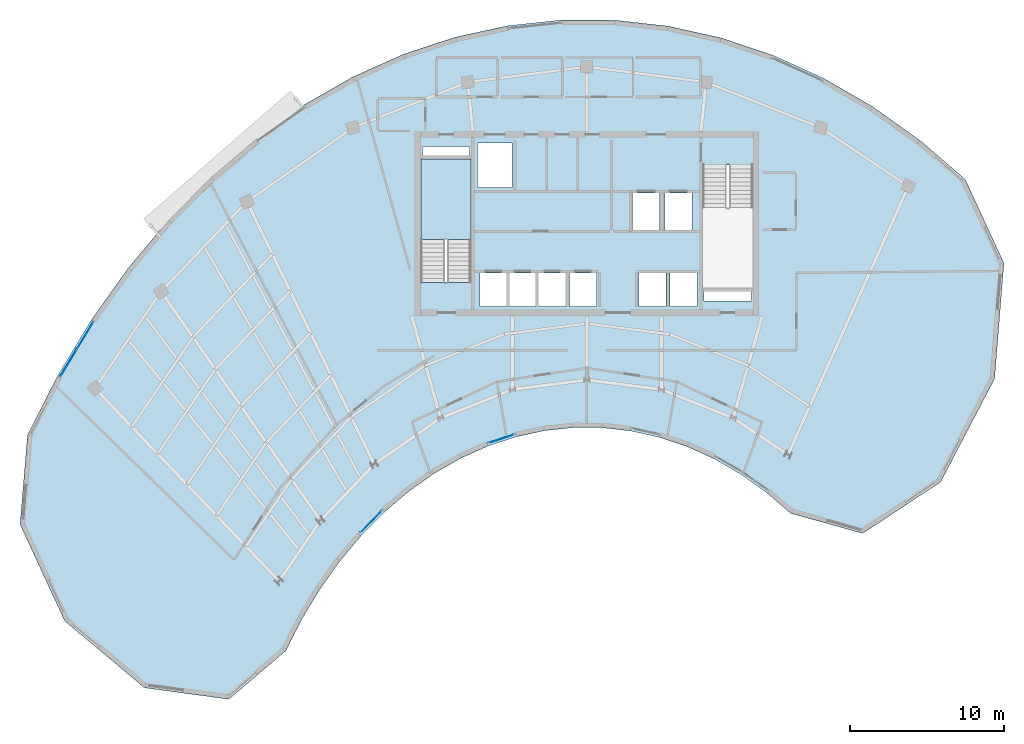
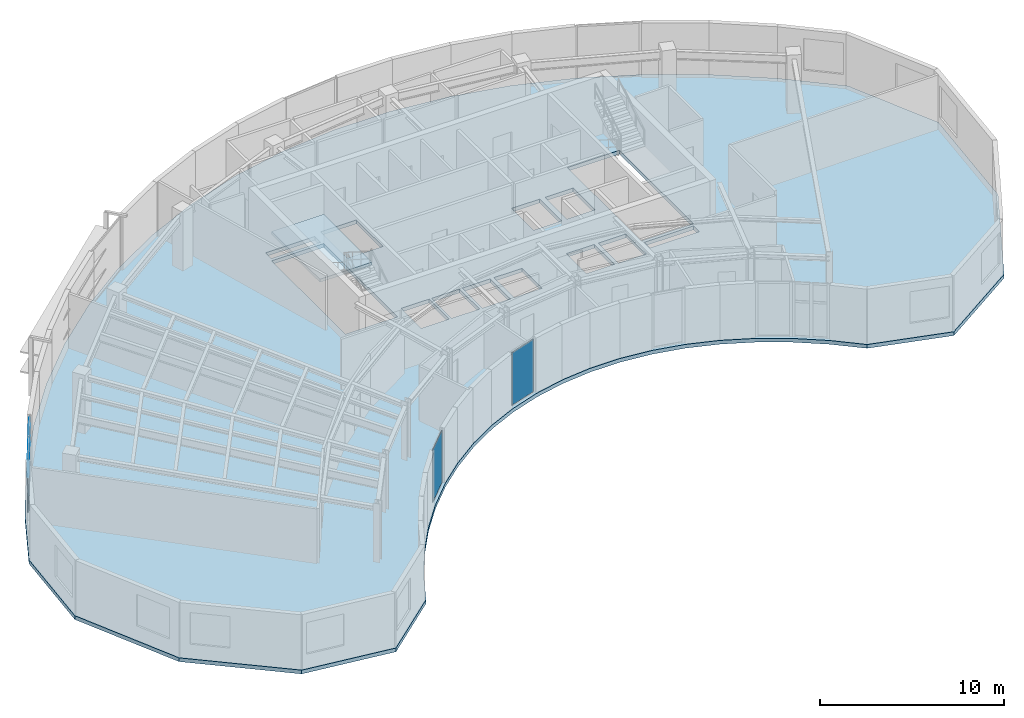
# One storey, part 6 of 13: 6 plates, 2 slabs, 4 elements without a shape of their own.
"""IFC4 building model written with IfcOpenShell, lengths in metres."""

import ifcopenshell
import ifcopenshell.guid

model = None  # the IFC model being written
_history = None  # IfcOwnerHistory: only IFC2X3 demands one
_inside = {}  # id of a spatial element -> (the spatial element, [elements in it])
_under = {}  # id of a project, library or spatial element -> (it, [spatial elements below it])
_declared = {}  # id of a project -> (the project, [libraries it declares])
_typed = {}  # id of a type object -> (the type object, [elements of that type])
_made_of = {}  # id of a material, layer set ... -> (it, [elements and type objects made of it])


def new_model(schema):
    """Start an empty IFC model of exactly this schema.

    Asked for "IFC4X3", IfcOpenShell would pick the latest addendum, in which some entities
    have other attributes; the version numbers below select the first issue.
    IFC2X3 requires an IfcOwnerHistory on every rooted entity: one is made here for all.
    """
    global model, _history
    if schema == "IFC4X3":
        model = ifcopenshell.file(schema_version=(4, 3, 0, 0))
    else:
        model = ifcopenshell.file(schema=schema)
    _inside.clear()
    _under.clear()
    _declared.clear()
    _typed.clear()
    _made_of.clear()
    _history = None
    if model.schema == "IFC2X3":
        org = make("IfcOrganization", Name="unknown")
        user = make(
            "IfcPersonAndOrganization",
            ThePerson=make("IfcPerson", FamilyName="unknown"),
            TheOrganization=org,
        )
        app = make(
            "IfcApplication",
            ApplicationDeveloper=org,
            Version="unknown",
            ApplicationFullName="unknown",
            ApplicationIdentifier="unknown",
        )
        _history = make(
            "IfcOwnerHistory",
            OwningUser=user,
            OwningApplication=app,
            ChangeAction="ADDED",
            CreationDate=0,
        )
    return model


def make(cls, **values):
    """One entity of the class cls with the attributes given. An attribute that is None is left unset."""
    return model.create_entity(
        cls, **{name: value for name, value in values.items() if value is not None}
    )


def rooted(cls, **values):
    """An entity with a GlobalId (a new one), such as an element, a storey or a relation."""
    return make(cls, GlobalId=ifcopenshell.guid.new(), OwnerHistory=_history, **values)


def si_unit(unit_type, name, prefix=None):
    """IfcSIUnit, for example si_unit("LENGTHUNIT", "METRE", prefix="MILLI")."""
    return make("IfcSIUnit", UnitType=unit_type, Prefix=prefix, Name=name)


def assignment(units):
    """IfcUnitAssignment: the units of a project."""
    return None if units is None else make("IfcUnitAssignment", Units=units)


def point(xyz):
    """IfcCartesianPoint."""
    return None if xyz is None else make("IfcCartesianPoint", Coordinates=xyz)


def direction(xyz):
    """IfcDirection."""
    return None if xyz is None else make("IfcDirection", DirectionRatios=xyz)


def frame(location, z_axis=None, x_axis=None):
    """IfcAxis2Placement3D, a coordinate frame: its origin and axes. An axis left out is left unset."""
    return make(
        "IfcAxis2Placement3D",
        Location=point(location),
        Axis=direction(z_axis),
        RefDirection=direction(x_axis),
    )


def frame_2d(location, x_axis=None):
    """IfcAxis2Placement2D, a coordinate frame in the plane: its origin and x axis."""
    return make(
        "IfcAxis2Placement2D", Location=point(location), RefDirection=direction(x_axis)
    )


def origin():
    """The frame at (0, 0, 0) with its axes left unset."""
    return frame((0.0, 0.0, 0.0))


def origin_2d():
    """The frame at (0, 0) in the plane with its x axis left unset."""
    return frame_2d((0.0, 0.0))


def place(relative_to, where):
    """IfcLocalPlacement: puts the frame where relative to a parent placement (None: the world)."""
    return make(
        "IfcLocalPlacement", PlacementRelTo=relative_to, RelativePlacement=where
    )


def context(
    kind, dimensions, precision=None, world=None, true_north=None, identifier=None
):
    """IfcGeometricRepresentationContext, for example the 3D "Model" context."""
    return make(
        "IfcGeometricRepresentationContext",
        ContextIdentifier=identifier,
        ContextType=kind,
        CoordinateSpaceDimension=dimensions,
        Precision=precision,
        WorldCoordinateSystem=world,
        TrueNorth=true_north,
    )


def subcontext(parent, identifier, kind, view, scale=None):
    """IfcGeometricRepresentationSubContext, for example "Body" below "Model"."""
    return make(
        "IfcGeometricRepresentationSubContext",
        ContextIdentifier=identifier,
        ContextType=kind,
        ParentContext=parent,
        TargetScale=scale,
        TargetView=view,
    )


def project(units=None, contexts=None):
    """IfcProject with its units and contexts."""
    return rooted(
        "IfcProject",
        Name="project",
        RepresentationContexts=contexts,
        UnitsInContext=assignment(units),
    )


def spatial(cls, under=None, at=None, **own):
    """A site, building, storey or space (cls), placed at a placement, below another one or the project."""
    s = rooted(cls, ObjectPlacement=at, **own)
    if under is not None:
        _under.setdefault(under.id(), (under, []))[1].append(s)
    return s


def polyline(points):
    """IfcPolyline through the points."""
    return make("IfcPolyline", Points=[point(p) for p in points])


def profile(cls, at=None, kind="AREA", **sizes):
    """A parametric profile (cls). Its sizes go by their IFC names, for example OverallWidth=200.0."""
    return make(cls, ProfileType=kind, Position=at, **sizes)


def rectangle(**sizes):
    """IfcRectangleProfileDef."""
    return profile("IfcRectangleProfileDef", **sizes)


def outline(outer, holes=None, kind="AREA"):
    """IfcArbitraryClosedProfileDef: a profile drawn as a closed curve; with holes, ...WithVoids."""
    if holes is None:
        return make("IfcArbitraryClosedProfileDef", ProfileType=kind, OuterCurve=outer)
    return make(
        "IfcArbitraryProfileDefWithVoids",
        ProfileType=kind,
        OuterCurve=outer,
        InnerCurves=holes,
    )


def extrude(swept, where, along, depth):
    """IfcExtrudedAreaSolid: the profile swept, set in the frame where, extruded along a direction by depth."""
    return make(
        "IfcExtrudedAreaSolid",
        SweptArea=swept,
        Position=where,
        ExtrudedDirection=direction(along),
        Depth=depth,
    )


def shape(context_of_items, identifier, shape_type, items):
    """IfcShapeRepresentation: the items that make up one representation, for example the "Body"."""
    return make(
        "IfcShapeRepresentation",
        ContextOfItems=context_of_items,
        RepresentationIdentifier=identifier,
        RepresentationType=shape_type,
        Items=items,
    )


def source(mapping_origin, context_of_items, identifier, shape_type, items):
    """IfcRepresentationMap: a shape defined once, which mapped items show again and again."""
    return make(
        "IfcRepresentationMap",
        MappingOrigin=mapping_origin,
        MappedRepresentation=shape(context_of_items, identifier, shape_type, items),
    )


def transform(
    local_origin,
    x_axis=None,
    y_axis=None,
    z_axis=None,
    scale=None,
    scale2=None,
    scale3=None,
    uniform=True,
):
    """IfcCartesianTransformationOperator3D, or its non-uniform kind. x_axis, y_axis, z_axis: its Axis1, 2, 3."""
    if uniform:
        return make(
            "IfcCartesianTransformationOperator3D",
            Axis1=direction(x_axis),
            Axis2=direction(y_axis),
            LocalOrigin=point(local_origin),
            Scale=scale,
            Axis3=direction(z_axis),
        )
    return make(
        "IfcCartesianTransformationOperator3DnonUniform",
        Axis1=direction(x_axis),
        Axis2=direction(y_axis),
        LocalOrigin=point(local_origin),
        Scale=scale,
        Axis3=direction(z_axis),
        Scale2=scale2,
        Scale3=scale3,
    )


def mapped(mapping_source, mapping_target):
    """IfcMappedItem: shows the shape of a source again, moved by a transform."""
    return make(
        "IfcMappedItem", MappingSource=mapping_source, MappingTarget=mapping_target
    )


def material(Name=None, Category=None):
    """IfcMaterial."""
    return make("IfcMaterial", Name=Name, Category=Category)


def layer(
    of_material, thickness, ventilated=None, Name=None, Category=None, Priority=None
):
    """IfcMaterialLayer: one layer of a wall or slab, of a material (None: an air gap)."""
    return make(
        "IfcMaterialLayer",
        Material=of_material,
        LayerThickness=thickness,
        IsVentilated=ventilated,
        Name=Name,
        Category=Category,
        Priority=Priority,
    )


def layer_set(layers, Name=None):
    """IfcMaterialLayerSet."""
    return make("IfcMaterialLayerSet", MaterialLayers=layers, LayerSetName=Name)


def made_of(thing, what):
    """Note that an element or type object is made of a material, layer set ...; save() writes the relation."""
    if what is not None:
        _made_of.setdefault(what.id(), (what, []))[1].append(thing)
    return thing


def type_object(cls, material=None, **own):
    """A type object (cls), such as IfcWallType, which elements share."""
    return made_of(rooted(cls, **own), material)


def element(
    cls,
    number,
    at=None,
    inside=None,
    cuts=None,
    type_object=None,
    material=None,
    context=None,
    identifier="Body",
    shape_type=None,
    held_by="IfcProductDefinitionShape",
    body=None,
    shapes=None,
    **own,
):
    """One element of the class cls, such as IfcWall. Its Tag is "e" and its number.

    at: its placement. inside: the storey or other place that contains it. cuts: it is an
    opening in that element (IfcRelVoidsElement). A single representation is given by context,
    identifier, shape_type and body (its items); several are given by shapes. held_by: the class
    of the entity that holds the representations. save() writes the other relations.
    """
    e = rooted(cls, Tag="e%d" % number, ObjectPlacement=at, **own)
    if body is not None:
        shapes = [shape(context, identifier, shape_type, body)]
    if shapes is not None:
        e.Representation = make(held_by, Representations=shapes)
    if inside is not None:
        _inside.setdefault(inside.id(), (inside, []))[1].append(e)
    if cuts is not None:
        rooted(
            "IfcRelVoidsElement", RelatingBuildingElement=cuts, RelatedOpeningElement=e
        )
    if type_object is not None:
        _typed.setdefault(type_object.id(), (type_object, []))[1].append(e)
    return made_of(e, material)


def aggregate(whole, parts):
    """IfcRelAggregates: a whole, such as a stair, and the parts it consists of."""
    return rooted("IfcRelAggregates", RelatingObject=whole, RelatedObjects=parts)


def save(model, path):
    """Write the relations noted so far, then the file.

    IfcRelAggregates (storeys below a building ...), IfcRelContainedInSpatialStructure (elements
    in a storey), IfcRelDefinesByType, IfcRelAssociatesMaterial and IfcRelDeclares: one each for
    every whole, place, type object, material and project.
    """
    for whole, parts in _under.values():
        aggregate(whole, parts)
    for where, things in _inside.values():
        rooted(
            "IfcRelContainedInSpatialStructure",
            RelatedElements=things,
            RelatingStructure=where,
        )
    for kind, things in _typed.values():
        rooted("IfcRelDefinesByType", RelatedObjects=things, RelatingType=kind)
    for what, things in _made_of.values():
        rooted("IfcRelAssociatesMaterial", RelatedObjects=things, RelatingMaterial=what)
    for by, libraries in _declared.values():
        rooted("IfcRelDeclares", RelatingContext=by, RelatedDefinitions=libraries)
    model.write(path)


model = new_model("IFC4")

# Units and contexts
model_context = context("Model", 3, precision=1e-05, world=origin(), true_north=direction((0.0, 1.0)))
body_context = subcontext(model_context, "Body", "Model", "MODEL_VIEW")
ifc_project = project(units=[si_unit("LENGTHUNIT", "METRE"), si_unit("AREAUNIT", "SQUARE_METRE"), si_unit("VOLUMEUNIT", "CUBIC_METRE"), si_unit("PLANEANGLEUNIT", "RADIAN"), si_unit("MASSUNIT", "GRAM", prefix="KILO")], contexts=[model_context])

# Site, building, storey
site_placement = place(None, origin())
site = spatial("IfcSite", under=ifc_project, at=site_placement, CompositionType="ELEMENT")
building_placement = place(site_placement, origin())
building = spatial("IfcBuilding", under=site, at=building_placement, Name="Breltana Convention Tower", CompositionType="ELEMENT")
storey_placement = place(building_placement, frame((0.0, 0.0, 271.800048828125)))
storey = spatial("IfcBuildingStorey", under=building, at=storey_placement, Name="L66", CompositionType="ELEMENT", Elevation=271.800048828125)

# Slab
ifc_material_1 = material(Name="Concrete C40/50", Category="concrete")
ifc_layer_1 = layer(ifc_material_1, 0.25, Name="Concrete C40/50")
ifc_layer_set_1 = layer_set([ifc_layer_1], Name="Concrete C40/50")
slab_type_1 = type_object("IfcSlabType", Name="SL-OFF-250", PredefinedType="FLOOR", material=ifc_layer_set_1)
slab_1_placement = place(storey_placement, frame((0.0, 0.0, -0.25)))
element("IfcSlab", 1, at=slab_1_placement, inside=storey, type_object=slab_type_1, Name="L66 Suspended Structural Floor Slab", PredefinedType="FLOOR", context=body_context, shape_type="SweptSolid", body=[
    extrude(outline(polyline([(72.6064453125, 69.08984375), (69.676513671875, 71.60791015625), (66.60400390625, 73.79931640625), (63.408935546875, 75.64990234375), (60.1123046875, 77.147216796875), (56.736083984375, 78.281494140625), (53.302490234375, 79.045166015625), (49.833984375, 79.43359375), (46.353271484375, 79.443603515625), (42.88330078125, 79.07568359375), (39.447021484375, 78.33203125), (36.067138671875, 77.21728515625), (32.765869140625, 75.739501953125), (29.56494140625, 73.90771484375), (26.485107421875, 71.734130859375), (23.547119140625, 69.233154296875), (20.77001953125, 66.42138671875), (18.172119140625, 63.317138671875), (15.770751953125, 59.94091796875), (13.58154296875, 56.314697265625), (11.61865234375, 52.462890625), (11.1318359375, 46.6376953125), (14.03759765625, 40.35205078125), (19.2265625, 36.00732421875), (24.71630859375, 35.262939453125), (28.41015625, 38.403076171875), (29.466796875, 40.477294921875), (30.645751953125, 42.4296875), (31.93896484375, 44.247802734375), (33.337646484375, 45.919189453125), (34.8330078125, 47.433349609375), (36.4150390625, 48.77978515625), (38.073486328125, 49.9501953125), (39.797119140625, 50.9365234375), (41.57470703125, 51.732421875), (43.39453125, 52.33251953125), (45.244873046875, 52.73291015625), (47.11328125, 52.93115234375), (48.987548828125, 52.92578125), (50.855224609375, 52.716552734375), (52.7041015625, 52.305419921875), (54.522216796875, 51.694580078125), (56.297119140625, 50.888427734375), (58.017578125, 49.891845703125), (59.672119140625, 48.7119140625), (61.24951171875, 47.35595703125), (65.941162109375, 46.047119140625), (71.009521484375, 49.388916015625), (74.51904296875, 56.10498046875), (75.12890625, 63.6298828125), (72.6064453125, 69.08984375)]), holes=[polyline([(37.199951171875, 62.385009765625), (40.469970703125, 62.385009765625), (40.469970703125, 70.39990234375), (37.199951171875, 70.39990234375), (37.199951171875, 62.385009765625)]), polyline([(55.530029296875, 62.0), (58.800048828125, 62.0), (58.800048828125, 70.014892578125), (55.530029296875, 70.014892578125), (55.530029296875, 62.0)]), polyline([(41.0400390625, 60.800048828125), (42.800048828125, 60.800048828125), (42.800048828125, 62.97998046875), (41.0400390625, 62.97998046875), (41.0400390625, 60.800048828125)]), polyline([(42.93994140625, 60.800048828125), (44.699951171875, 60.800048828125), (44.699951171875, 62.97998046875), (42.93994140625, 62.97998046875), (42.93994140625, 60.800048828125)]), polyline([(44.8701171875, 60.800048828125), (46.6298828125, 60.800048828125), (46.6298828125, 62.97998046875), (44.8701171875, 62.97998046875), (44.8701171875, 60.800048828125)]), polyline([(46.8701171875, 60.800048828125), (48.6298828125, 60.800048828125), (48.6298828125, 62.97998046875), (46.8701171875, 62.97998046875), (46.8701171875, 60.800048828125)]), polyline([(51.39990234375, 60.800048828125), (53.159912109375, 60.800048828125), (53.159912109375, 62.97998046875), (51.39990234375, 62.97998046875), (51.39990234375, 60.800048828125)]), polyline([(53.39990234375, 60.800048828125), (55.159912109375, 60.800048828125), (55.159912109375, 62.97998046875), (53.39990234375, 62.97998046875), (53.39990234375, 60.800048828125)]), polyline([(50.969970703125, 65.800048828125), (52.72998046875, 65.800048828125), (52.72998046875, 68.179931640625), (50.969970703125, 68.179931640625), (50.969970703125, 65.800048828125)]), polyline([(53.070068359375, 65.800048828125), (54.830078125, 65.800048828125), (54.830078125, 68.179931640625), (53.070068359375, 68.179931640625), (53.070068359375, 65.800048828125)]), polyline([(40.8798828125, 68.550048828125), (43.1201171875, 68.550048828125), (43.1201171875, 71.449951171875), (40.8798828125, 71.449951171875), (40.8798828125, 68.550048828125)]), polyline([(37.300048828125, 70.60009765625), (40.3798828125, 70.60009765625), (40.3798828125, 71.219970703125), (37.300048828125, 71.219970703125), (37.300048828125, 70.60009765625)]), polyline([(55.6201171875, 61.179931640625), (58.699951171875, 61.179931640625), (58.699951171875, 61.800048828125), (55.6201171875, 61.800048828125), (55.6201171875, 61.179931640625)])]), origin(), (0.0, 0.0, 1.0), 0.25),
])

# Stair, slab
stair_type = type_object("IfcStairType", Name="ST-DOG-1560-R177", PredefinedType="HALF_TURN_STAIR", material=ifc_material_1)
stair_placement = place(storey_placement, origin())
stair = element("IfcStair", 2, at=stair_placement, inside=storey, type_object=stair_type, Name="L66 Protected Core Exit Stair ST-1", PredefinedType="HALF_TURN_STAIR")
ifc_layer_2 = layer(ifc_material_1, 0.199951171875, Name="Concrete C40/50")
ifc_layer_set_2 = layer_set([ifc_layer_2], Name="Concrete C40/50")
slab_type_2 = type_object("IfcSlabType", Name="SL-STAIR-LANDING-200", PredefinedType="LANDING", material=ifc_layer_set_2)
slab_2_placement = place(storey_placement, frame((0.0, 0.0, 1.75)))
slab_2 = element("IfcSlab", 3, at=slab_2_placement, type_object=slab_type_2, Name="ST-1 landing 1", PredefinedType="LANDING", context=body_context, shape_type="SweptSolid", body=[
    extrude(outline(polyline([(40.469970703125, 65.159912109375), (40.469970703125, 70.39990234375), (37.199951171875, 70.39990234375), (37.199951171875, 65.159912109375), (40.469970703125, 65.159912109375)])), origin(), (0.0, 0.0, 1.0), 0.199951171875),
])
aggregate(stair, [slab_2])

# Curtain wall, plate
ifc_material_2 = material(Name="Aluminium Anodised Bronze Frame", Category="aluminium")
ifc_layer_3 = layer(ifc_material_2, 0.18994140625, Name="Aluminium Anodised Bronze Frame")
ifc_layer_set_3 = layer_set([ifc_layer_3], Name="Aluminium Anodised Bronze Frame")
curtain_wall_type_1 = type_object("IfcCurtainWallType", Name="CW-SYS-1", PredefinedType="NOTDEFINED", material=ifc_layer_set_3)
curtain_wall_1_placement = place(storey_placement, origin())
curtain_wall_1 = element("IfcCurtainWall", 4, at=curtain_wall_1_placement, inside=storey, type_object=curtain_wall_type_1, Name="L66 inner south-court glazing 4", PredefinedType="NOTDEFINED")
ifc_material_3 = material(Name="Glass Low-E Double Glazing", Category="glass")
ifc_layer_4 = layer(ifc_material_3, 0.028076171875, Name="Glass Low-E Double Glazing")
ifc_layer_set_4 = layer_set([ifc_layer_4], Name="Glass Low-E Double Glazing")
plate_type_1 = type_object("IfcPlateType", Name="CWP-IGU-28", PredefinedType="CURTAIN_PANEL", material=ifc_layer_set_4)
shared_shape_1 = source(origin(), body_context, "Body", "SweptSolid", [
    extrude(rectangle(XDim=1.75634765625, YDim=0.028076171875, at=origin_2d()), origin(), (0.0, 0.0, 1.0), 3.47998046875),
])
plate_1_placement = place(storey_placement, frame((42.42822265625, 52.203369140625, 0.080078125), z_axis=(0.0, 0.0, 1.0), x_axis=(-0.949701147025, -0.31315767808, 0.0)))
plate_1 = element("IfcPlate", 5, at=plate_1_placement, type_object=plate_type_1, Name="CW-01 panel 1.1", PredefinedType="CURTAIN_PANEL", context=body_context, shape_type="MappedRepresentation", body=[
    mapped(shared_shape_1, transform((0.0, 0.0, 0.0), scale=1.0)),
])
aggregate(curtain_wall_1, [plate_1])

curtain_wall_2_placement = place(storey_placement, origin())
curtain_wall_2 = element("IfcCurtainWall", 6, at=curtain_wall_2_placement, inside=storey, type_object=curtain_wall_type_1, Name="L66 inner south-court glazing 5", PredefinedType="NOTDEFINED")
shared_shape_2 = source(origin(), body_context, "Body", "SweptSolid", [
    extrude(rectangle(XDim=1.968017578125, YDim=0.028076171875, at=origin_2d()), origin(), (0.0, 0.0, 1.0), 3.47998046875),
])
plate_2_placement = place(storey_placement, frame((33.957275390625, 46.802734375, 0.080078125), z_axis=(0.0, 0.0, 1.0), x_axis=(-0.702699497037, -0.711486765066, 0.0)))
plate_2 = element("IfcPlate", 7, at=plate_2_placement, type_object=plate_type_1, Name="CW-01 panel 1.1", PredefinedType="CURTAIN_PANEL", context=body_context, shape_type="MappedRepresentation", body=[
    mapped(shared_shape_2, transform((0.0, 0.0, 0.0), scale=1.0)),
])
aggregate(curtain_wall_2, [plate_2])

# Curtain wall, plates
ifc_layer_5 = layer(ifc_material_2, 0.22998046875, Name="Aluminium Anodised Bronze Frame")
ifc_layer_set_5 = layer_set([ifc_layer_5], Name="Aluminium Anodised Bronze Frame")
curtain_wall_type_2 = type_object("IfcCurtainWallType", Name="CW-SYS-5", PredefinedType="NOTDEFINED", material=ifc_layer_set_5)
curtain_wall_3_placement = place(storey_placement, origin())
curtain_wall_3 = element("IfcCurtainWall", 8, at=curtain_wall_3_placement, inside=storey, type_object=curtain_wall_type_2, Name="L66 outer double-skin inner glazing 1", PredefinedType="NOTDEFINED")
ifc_layer_6 = layer(ifc_material_3, 0.035888671875, Name="Glass Low-E Double Glazing")
ifc_layer_set_6 = layer_set([ifc_layer_6], Name="Glass Low-E Double Glazing")
plate_type_2 = type_object("IfcPlateType", Name="CWP-IGU-36", PredefinedType="CURTAIN_PANEL", material=ifc_layer_set_6)
shared_shape_3 = source(origin(), body_context, "Body", "SweptSolid", [
    extrude(rectangle(XDim=2.00634765625, YDim=0.035888671875, at=origin_2d()), origin(), (0.0, 0.0, 1.0), 2.260986328125),
])
plate_3_placement = place(storey_placement, frame((14.29345703125, 57.14599609375, 0.06982421875), z_axis=(0.0, 0.0, 1.0), x_axis=(0.516865496947, 0.85606662011, 0.0)))
plate_3 = element("IfcPlate", 9, at=plate_3_placement, type_object=plate_type_2, Name="CW-05 panel 1.1", PredefinedType="CURTAIN_PANEL", context=body_context, shape_type="MappedRepresentation", body=[
    mapped(shared_shape_3, transform((0.0, 0.0, 0.0), scale=1.0)),
])
plate_4_placement = place(storey_placement, frame((15.36669921875, 58.92333984375, 0.06982421875), z_axis=(0.0, 0.0, 1.0), x_axis=(0.516865496947, 0.85606662011, 0.0)))
plate_4 = element("IfcPlate", 10, at=plate_4_placement, type_object=plate_type_2, Name="CW-05 panel 2.1", PredefinedType="CURTAIN_PANEL", context=body_context, shape_type="MappedRepresentation", body=[
    mapped(shared_shape_3, transform((0.0, 0.0, 0.0), scale=1.0)),
])
shared_shape_4 = source(origin(), body_context, "Body", "SweptSolid", [
    extrude(rectangle(XDim=2.00634765625, YDim=0.035888671875, at=origin_2d()), origin(), (0.0, 0.0, 1.0), 1.1689453125),
])
plate_5_placement = place(storey_placement, frame((14.29345703125, 57.14599609375, 2.40087890625), z_axis=(0.0, 0.0, 1.0), x_axis=(0.516865496947, 0.85606662011, 0.0)))
plate_5 = element("IfcPlate", 11, at=plate_5_placement, type_object=plate_type_2, Name="CW-05 panel 1.2", PredefinedType="CURTAIN_PANEL", context=body_context, shape_type="MappedRepresentation", body=[
    mapped(shared_shape_4, transform((0.0, 0.0, 0.0), scale=1.0)),
])
plate_6_placement = place(storey_placement, frame((15.36669921875, 58.92333984375, 2.40087890625), z_axis=(0.0, 0.0, 1.0), x_axis=(0.516865496947, 0.85606662011, 0.0)))
plate_6 = element("IfcPlate", 12, at=plate_6_placement, type_object=plate_type_2, Name="CW-05 panel 2.2", PredefinedType="CURTAIN_PANEL", context=body_context, shape_type="MappedRepresentation", body=[
    mapped(shared_shape_4, transform((0.0, 0.0, 0.0), scale=1.0)),
])
aggregate(curtain_wall_3, [plate_3, plate_5, plate_4, plate_6])

save(model, "model.ifc")
